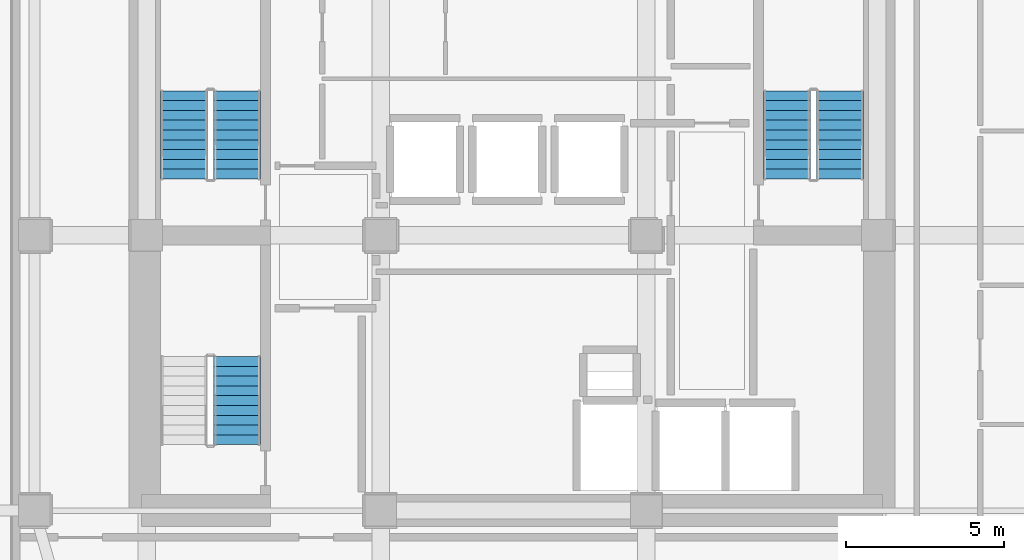
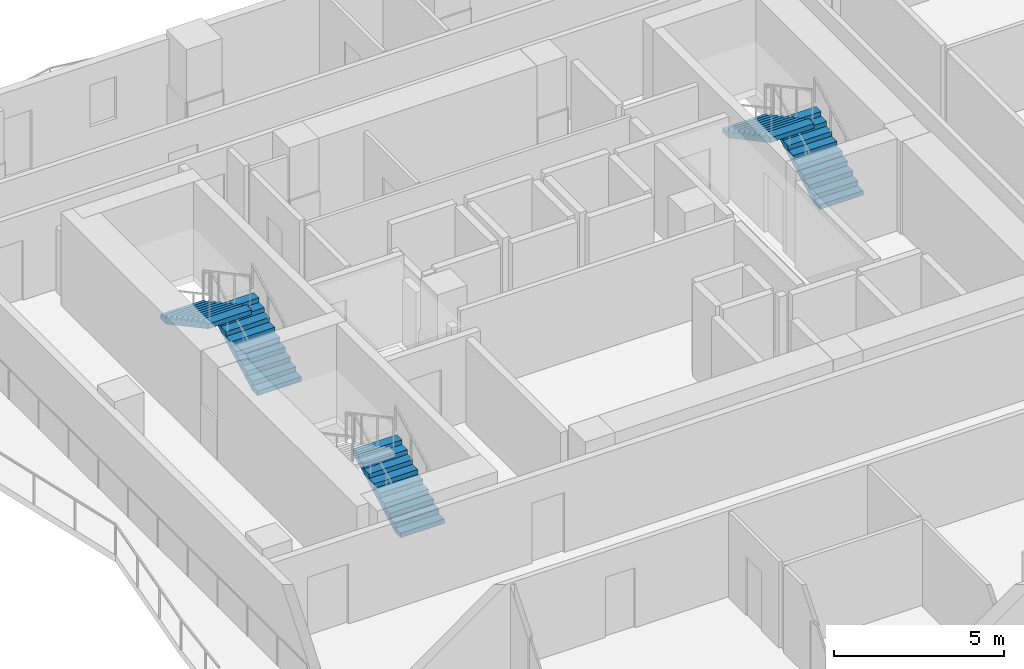
# One storey, part 6 of 9: 5 stair flights, 3 elements without a shape of their own.
"""IFC4 building model written with IfcOpenShell, lengths in metres."""

from ifc_helpers import new_model, si_unit, direction, frame, origin, place, context, subcontext, project, spatial, polyline, outline, extrude, material, type_object, element, aggregate, save


model = new_model("IFC4")

# Units and contexts
model_context = context("Model", 3, precision=1e-05, world=origin(), true_north=direction((0.0, 1.0)))
body_context = subcontext(model_context, "Body", "Model", "MODEL_VIEW")
ifc_project = project(units=[si_unit("LENGTHUNIT", "METRE"), si_unit("AREAUNIT", "SQUARE_METRE"), si_unit("VOLUMEUNIT", "CUBIC_METRE"), si_unit("PLANEANGLEUNIT", "RADIAN"), si_unit("MASSUNIT", "GRAM", prefix="KILO")], contexts=[model_context])

# Site, building, storey
site_placement = place(None, origin())
site = spatial("IfcSite", under=ifc_project, at=site_placement, CompositionType="ELEMENT")
building_placement = place(site_placement, origin())
building = spatial("IfcBuilding", under=site, at=building_placement, Name="Solanera Arch Residences", CompositionType="ELEMENT")
storey_placement = place(building_placement, frame((0.0, 0.0, 139.280029296875)))
storey = spatial("IfcBuildingStorey", under=building, at=storey_placement, Name="L40", CompositionType="ELEMENT", Elevation=139.280029296875)

# Stair, stair flights
ifc_material_1 = material(Name="Concrete C40/50 (f'c = 45 MPa)", Category="concrete")
stair_type = type_object("IfcStairType", Name="Tower Dogleg Exit Stair 1480", PredefinedType="HALF_TURN_STAIR", material=ifc_material_1)
stair_1_placement = place(storey_placement, origin())
stair_1 = element("IfcStair", 1, at=stair_1_placement, inside=storey, type_object=stair_type, Name="L40 Tower Core Exit Stair 1", PredefinedType="HALF_TURN_STAIR")
ifc_material_2 = material(Name="Concrete C40/50 (f'c = 45 MPa)", Category="concrete")
stair_flight_type = type_object("IfcStairFlightType", Name="Tower Precast Stair Flight 1480", PredefinedType="STRAIGHT", material=ifc_material_2)
stair_flight_1_placement = place(storey_placement, frame((16.260009765625, 32.47998046875, 0.0), z_axis=(0.0, 0.0, 1.0), x_axis=(0.0, 1.0, 0.0)))
stair_flight_1 = element("IfcStairFlight", 2, at=stair_flight_1_placement, type_object=stair_flight_type, Name="ST-T1 flight 1", NumberOfRisers=10, NumberOfTreads=9, PredefinedType="STRAIGHT", RiserHeight=0.166, TreadLength=0.31, context=body_context, shape_type="SweptSolid", body=[
    extrude(outline(polyline([(0.0, 0.0), (0.0, 0.166015625), (0.31005859375, 0.166015625), (0.31005859375, 0.33203125), (0.6201171875, 0.33203125), (0.6201171875, 0.498046875), (0.929931640625, 0.498046875), (0.929931640625, 0.6640625), (1.239990234375, 0.6640625), (1.239990234375, 0.830078125), (1.550048828125, 0.830078125), (1.550048828125, 0.99609375), (1.860107421875, 0.99609375), (1.860107421875, 1.162109375), (2.169921875, 1.162109375), (2.169921875, 1.327880859375), (2.47998046875, 1.327880859375), (2.47998046875, 1.493896484375), (2.7900390625, 1.493896484375), (2.7900390625, 1.659912109375), (2.7900390625, 1.323974609375), (0.317626953125, 0.0), (0.0, 0.0)])), frame((0.0, 0.739990234375, 0.0), z_axis=(0.0, -1.0, 0.0), x_axis=(1.0, 0.0, 0.0)), (0.0, 0.0, 1.0), 1.47998046875),
])
stair_flight_2_placement = place(storey_placement, frame((14.580078125, 35.27001953125, 1.659912109375), z_axis=(0.0, 0.0, 1.0), x_axis=(0.0, -1.0, 0.0)))
stair_flight_2 = element("IfcStairFlight", 3, at=stair_flight_2_placement, type_object=stair_flight_type, Name="ST-T1 flight 2", NumberOfRisers=10, NumberOfTreads=9, PredefinedType="STRAIGHT", RiserHeight=0.166, TreadLength=0.31, context=body_context, shape_type="SweptSolid", body=[
    extrude(outline(polyline([(0.0, 0.0), (0.0, 0.166015625), (0.31005859375, 0.166015625), (0.31005859375, 0.33203125), (0.6201171875, 0.33203125), (0.6201171875, 0.498046875), (0.929931640625, 0.498046875), (0.929931640625, 0.6640625), (1.239990234375, 0.6640625), (1.239990234375, 0.830078125), (1.550048828125, 0.830078125), (1.550048828125, 0.99609375), (1.860107421875, 0.99609375), (1.860107421875, 1.162109375), (2.169921875, 1.162109375), (2.169921875, 1.327880859375), (2.47998046875, 1.327880859375), (2.47998046875, 1.493896484375), (2.7900390625, 1.493896484375), (2.7900390625, 1.659912109375), (2.7900390625, 1.323974609375), (0.317626953125, 0.0), (0.0, 0.0)])), frame((0.0, 0.739990234375, 0.0), z_axis=(0.0, -1.0, 0.0), x_axis=(1.0, 0.0, 0.0)), (0.0, 0.0, 1.0), 1.47998046875),
])
aggregate(stair_1, [stair_flight_1, stair_flight_2])

stair_2_placement = place(storey_placement, origin())
stair_2 = element("IfcStair", 4, at=stair_2_placement, inside=storey, type_object=stair_type, Name="L40 Tower Core Exit Stair 2", PredefinedType="HALF_TURN_STAIR")
stair_flight_3_placement = place(storey_placement, frame((35.320068359375, 32.47998046875, 0.0), z_axis=(0.0, 0.0, 1.0), x_axis=(0.0, 1.0, 0.0)))
stair_flight_3 = element("IfcStairFlight", 5, at=stair_flight_3_placement, type_object=stair_flight_type, Name="ST-T2 flight 1", NumberOfRisers=10, NumberOfTreads=9, PredefinedType="STRAIGHT", RiserHeight=0.166, TreadLength=0.31, context=body_context, shape_type="SweptSolid", body=[
    extrude(outline(polyline([(0.0, 0.0), (0.0, 0.166015625), (0.31005859375, 0.166015625), (0.31005859375, 0.33203125), (0.6201171875, 0.33203125), (0.6201171875, 0.498046875), (0.929931640625, 0.498046875), (0.929931640625, 0.6640625), (1.239990234375, 0.6640625), (1.239990234375, 0.830078125), (1.550048828125, 0.830078125), (1.550048828125, 0.99609375), (1.860107421875, 0.99609375), (1.860107421875, 1.162109375), (2.169921875, 1.162109375), (2.169921875, 1.327880859375), (2.47998046875, 1.327880859375), (2.47998046875, 1.493896484375), (2.7900390625, 1.493896484375), (2.7900390625, 1.659912109375), (2.7900390625, 1.323974609375), (0.317626953125, 0.0), (0.0, 0.0)])), frame((0.0, 0.739990234375, 0.0), z_axis=(0.0, -1.0, 0.0), x_axis=(1.0, 0.0, 0.0)), (0.0, 0.0, 1.0), 1.47998046875),
])
stair_flight_4_placement = place(storey_placement, frame((33.639892578125, 35.27001953125, 1.659912109375), z_axis=(0.0, 0.0, 1.0), x_axis=(0.0, -1.0, 0.0)))
stair_flight_4 = element("IfcStairFlight", 6, at=stair_flight_4_placement, type_object=stair_flight_type, Name="ST-T2 flight 2", NumberOfRisers=10, NumberOfTreads=9, PredefinedType="STRAIGHT", RiserHeight=0.166, TreadLength=0.31, context=body_context, shape_type="SweptSolid", body=[
    extrude(outline(polyline([(0.0, 0.0), (0.0, 0.166015625), (0.31005859375, 0.166015625), (0.31005859375, 0.33203125), (0.6201171875, 0.33203125), (0.6201171875, 0.498046875), (0.929931640625, 0.498046875), (0.929931640625, 0.6640625), (1.239990234375, 0.6640625), (1.239990234375, 0.830078125), (1.550048828125, 0.830078125), (1.550048828125, 0.99609375), (1.860107421875, 0.99609375), (1.860107421875, 1.162109375), (2.169921875, 1.162109375), (2.169921875, 1.327880859375), (2.47998046875, 1.327880859375), (2.47998046875, 1.493896484375), (2.7900390625, 1.493896484375), (2.7900390625, 1.659912109375), (2.7900390625, 1.323974609375), (0.317626953125, 0.0), (0.0, 0.0)])), frame((0.0, 0.739990234375, 0.0), z_axis=(0.0, -1.0, 0.0), x_axis=(1.0, 0.0, 0.0)), (0.0, 0.0, 1.0), 1.47998046875),
])
aggregate(stair_2, [stair_flight_3, stair_flight_4])

# Stair, stair flight
stair_3_placement = place(storey_placement, origin())
stair_3 = element("IfcStair", 7, at=stair_3_placement, inside=storey, type_object=stair_type, Name="L40 Tower Core Exit Stair 3", PredefinedType="HALF_TURN_STAIR")
stair_flight_5_placement = place(storey_placement, frame((16.260009765625, 24.080078125, 0.0), z_axis=(0.0, 0.0, 1.0), x_axis=(0.0, 1.0, 0.0)))
stair_flight_5 = element("IfcStairFlight", 8, at=stair_flight_5_placement, type_object=stair_flight_type, Name="ST-T3 flight 1", NumberOfRisers=10, NumberOfTreads=9, PredefinedType="STRAIGHT", RiserHeight=0.166, TreadLength=0.31, context=body_context, shape_type="SweptSolid", body=[
    extrude(outline(polyline([(0.0, 0.0), (0.0, 0.166015625), (0.31005859375, 0.166015625), (0.31005859375, 0.33203125), (0.6201171875, 0.33203125), (0.6201171875, 0.498046875), (0.929931640625, 0.498046875), (0.929931640625, 0.6640625), (1.239990234375, 0.6640625), (1.239990234375, 0.830078125), (1.550048828125, 0.830078125), (1.550048828125, 0.99609375), (1.860107421875, 0.99609375), (1.860107421875, 1.162109375), (2.169921875, 1.162109375), (2.169921875, 1.327880859375), (2.47998046875, 1.327880859375), (2.47998046875, 1.493896484375), (2.7900390625, 1.493896484375), (2.7900390625, 1.659912109375), (2.7900390625, 1.323974609375), (0.317626953125, 0.0), (0.0, 0.0)])), frame((0.0, 0.739990234375, 0.0), z_axis=(0.0, -1.0, 0.0), x_axis=(1.0, 0.0, 0.0)), (0.0, 0.0, 1.0), 1.47998046875),
])
aggregate(stair_3, [stair_flight_5])

save(model, "model.ifc")
